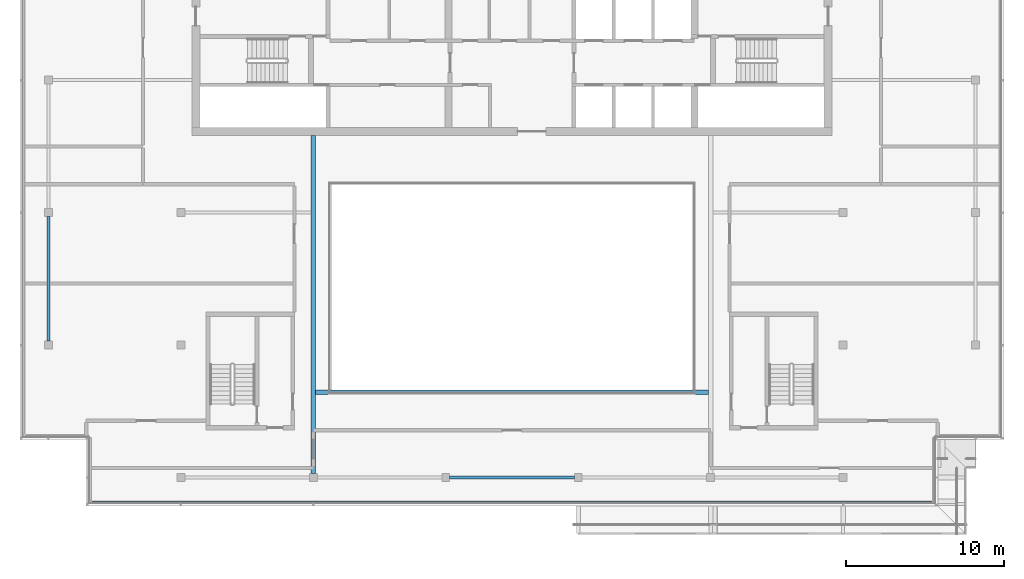
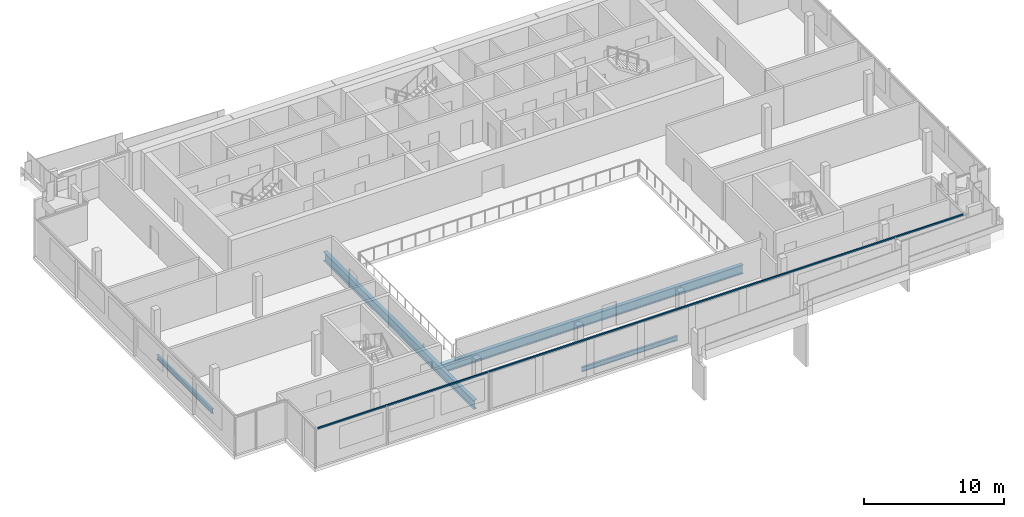
# One storey, part 3 of 21: 4 beams, 1 member, 1 element without a shape of its own.
"""IFC4 building model written with IfcOpenShell, lengths in metres."""

from ifc_helpers import new_model, si_unit, direction, frame, origin, origin_2d, place, context, subcontext, project, spatial, rectangle, i_section, extrude, material, material_profile, profile_set, type_object, element, aggregate, save


model = new_model("IFC4")

# Units and contexts
model_context = context("Model", 3, precision=1e-05, world=origin(), true_north=direction((0.0, 1.0)))
body_context = subcontext(model_context, "Body", "Model", "MODEL_VIEW")
ifc_project = project(units=[si_unit("LENGTHUNIT", "METRE"), si_unit("AREAUNIT", "SQUARE_METRE"), si_unit("VOLUMEUNIT", "CUBIC_METRE"), si_unit("PLANEANGLEUNIT", "RADIAN"), si_unit("MASSUNIT", "GRAM", prefix="KILO")], contexts=[model_context])

# Site, building, storey
site_placement = place(None, origin())
site = spatial("IfcSite", under=ifc_project, at=site_placement, CompositionType="ELEMENT")
building_placement = place(site_placement, origin())
building = spatial("IfcBuilding", under=site, at=building_placement, Name="Saffron Gate Tower", CompositionType="ELEMENT")
storey_placement = place(building_placement, frame((0.0, 0.0, 299.550048828125)))
storey = spatial("IfcBuildingStorey", under=building, at=storey_placement, Name="L73", CompositionType="ELEMENT", Elevation=299.550048828125)

# Beams
ifc_material_1 = material(Name="Structural steel S355", Category="steel")
ifc_material_profile_1 = material_profile(ifc_material_1, i_section(OverallWidth=0.300048828125, OverallDepth=0.7900390625, WebThickness=0.014892578125, FlangeThickness=0.028076171875, FilletRadius=0.030029296875, at=origin_2d()))
ifc_profile_set_1 = profile_set([ifc_material_profile_1], Name="Structural steel S355")
beam_type_1 = type_object("IfcBeamType", Name="B18 HEA 800", PredefinedType="BEAM", material=ifc_profile_set_1)
beam_1_placement = place(storey_placement, frame((75.0, 40.449951171875, -0.675048828125), z_axis=(0.0, 1.0, 0.0), x_axis=(-1.0, 0.0, 0.0)))
element("IfcBeam", 1, at=beam_1_placement, inside=storey, type_object=beam_type_1, Name="B18 ATRIUM GIRDER", PredefinedType="BEAM", context=body_context, shape_type="SweptSolid", body=[
    extrude(i_section(OverallWidth=0.300048828125, OverallDepth=0.7900390625, WebThickness=0.014892578125, FlangeThickness=0.028076171875, FilletRadius=0.030029296875, at=origin_2d()), origin(), (0.0, 0.0, 1.0), 21.449951171875),
])
beam_2_placement = place(storey_placement, frame((75.14990234375, 45.60009765625, -0.675048828125), z_axis=(1.0, 0.0, 0.0), x_axis=(0.0, 1.0, 0.0)))
element("IfcBeam", 2, at=beam_2_placement, inside=storey, type_object=beam_type_1, Name="B18 ATRIUM GIRDER", PredefinedType="BEAM", context=body_context, shape_type="SweptSolid", body=[
    extrude(i_section(OverallWidth=0.300048828125, OverallDepth=0.7900390625, WebThickness=0.014892578125, FlangeThickness=0.028076171875, FilletRadius=0.030029296875, at=origin_2d()), origin(), (0.0, 0.0, 1.0), 24.900146484375),
])
ifc_material_profile_2 = material_profile(ifc_material_1, i_section(OverallWidth=0.179931640625, OverallDepth=0.39990234375, WebThickness=0.008544921875, FlangeThickness=0.013427734375, FilletRadius=0.02099609375, at=origin_2d()))
ifc_profile_set_2 = profile_set([ifc_material_profile_2], Name="Structural steel S355")
beam_type_2 = type_object("IfcBeamType", Name="B5 IPE 400", PredefinedType="SPANDREL", material=ifc_profile_set_2)
beam_3_placement = place(storey_placement, frame((58.199951171875, 48.85009765625, -0.47998046875), z_axis=(0.0, 1.0, 0.0), x_axis=(-1.0, 0.0, 0.0)))
element("IfcBeam", 3, at=beam_3_placement, inside=storey, type_object=beam_type_2, Name="B5 SPANDREL BEAM", PredefinedType="SPANDREL", context=body_context, shape_type="SweptSolid", body=[
    extrude(i_section(OverallWidth=0.179931640625, OverallDepth=0.39990234375, WebThickness=0.008544921875, FlangeThickness=0.013427734375, FilletRadius=0.02099609375, at=origin_2d()), origin(), (0.0, 0.0, 1.0), 7.89990234375),
])
beam_4_placement = place(storey_placement, frame((83.64990234375, 40.199951171875, -0.47998046875), z_axis=(1.0, 0.0, 0.0), x_axis=(0.0, 1.0, 0.0)))
element("IfcBeam", 4, at=beam_4_placement, inside=storey, type_object=beam_type_2, Name="B5 SPANDREL BEAM", PredefinedType="SPANDREL", context=body_context, shape_type="SweptSolid", body=[
    extrude(i_section(OverallWidth=0.179931640625, OverallDepth=0.39990234375, WebThickness=0.008544921875, FlangeThickness=0.013427734375, FilletRadius=0.02099609375, at=origin_2d()), origin(), (0.0, 0.0, 1.0), 7.900146484375),
])

# Curtain wall, member
ifc_material_2 = material(Name="Aluminium, bronze anodised", Category="aluminium")
curtain_wall_type = type_object("IfcCurtainWallType", Name="CWS1 curtain wall front facade", PredefinedType="NOTDEFINED", material=ifc_material_2)
curtain_wall_placement = place(storey_placement, origin())
curtain_wall = element("IfcCurtainWall", 5, at=curtain_wall_placement, inside=storey, type_object=curtain_wall_type, Name="CWS1 run 1", PredefinedType="NOTDEFINED")
ifc_material_profile_3 = material_profile(ifc_material_2, rectangle(XDim=0.1201171875, YDim=0.1201171875, at=origin_2d()))
ifc_profile_set_3 = profile_set([ifc_material_profile_3], Name="Aluminium, bronze anodised")
member_type = type_object("IfcMemberType", Name="CWS1 head transom", PredefinedType="USERDEFINED", material=ifc_profile_set_3)
member_placement = place(storey_placement, frame((60.968017578125, 38.64794921875, 3.260009765625), z_axis=(1.0, 0.0, 0.0), x_axis=(0.0, 1.0, 0.0)))
member = element("IfcMember", 6, at=member_placement, type_object=member_type, Name="CWS1 head transom", ObjectType="TRANSOM", PredefinedType="USERDEFINED", context=body_context, shape_type="SweptSolid", body=[
    extrude(rectangle(XDim=0.1201171875, YDim=0.1201171875, at=origin_2d()), origin(), (0.0, 0.0, 1.0), 53.263916015625),
])
aggregate(curtain_wall, [member])

save(model, "model.ifc")
